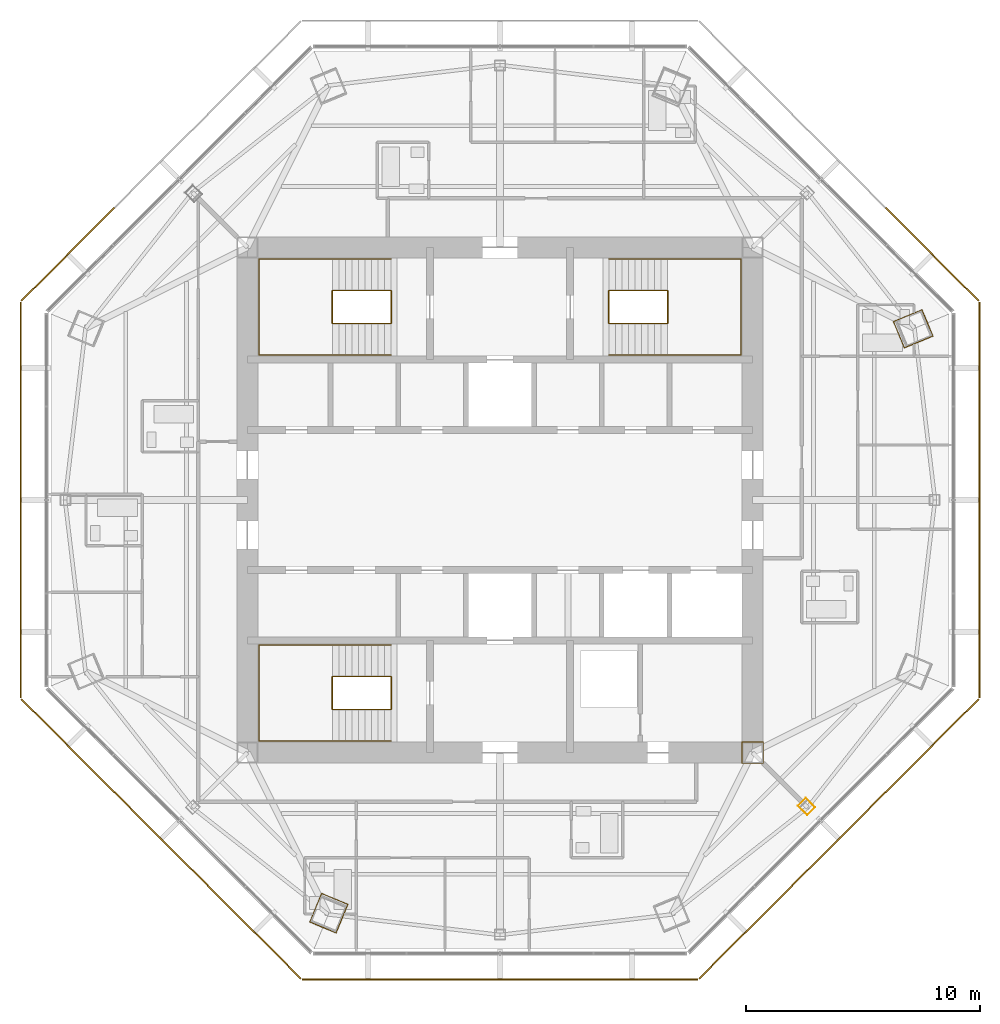
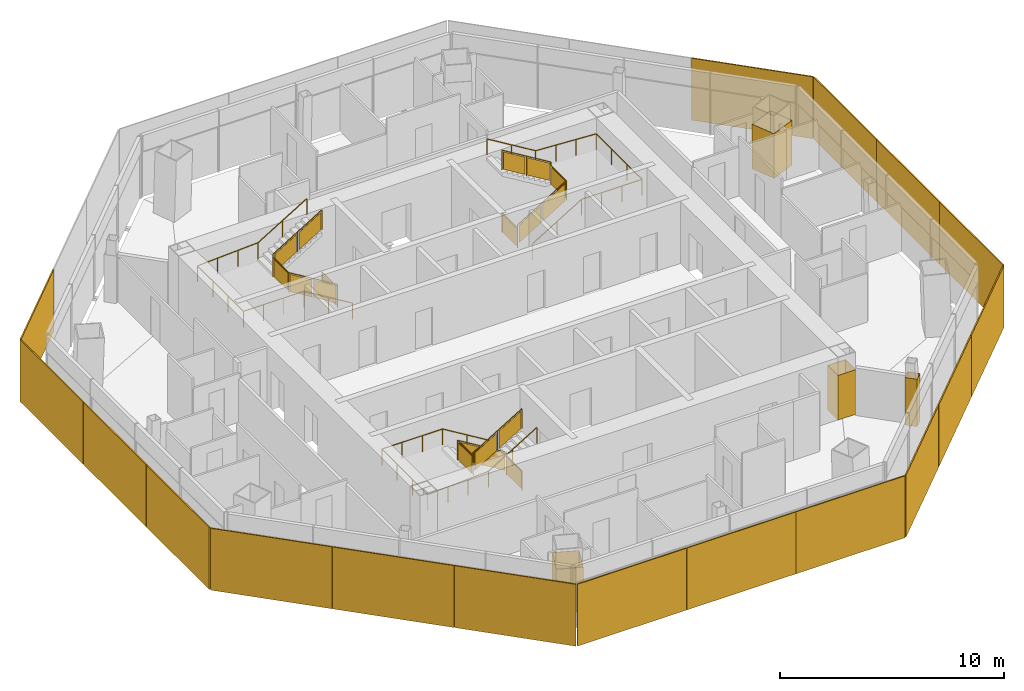
# One storey, part 13 of 15: 17 shading devices, 6 railings, 4 coverings.
"""IFC4 building model written with IfcOpenShell, lengths in metres."""

from ifc_helpers import new_model, si_unit, direction, frame, origin, origin_2d, place, context, subcontext, project, spatial, polyline, rectangle, circle, outline, extrude, source, transform, mapped, material, layer, layer_set, type_object, type_shapes, element, save


model = new_model("IFC4")

# Units and contexts
model_context = context("Model", 3, precision=1e-05, world=origin(), true_north=direction((0.0, 1.0)))
body_context = subcontext(model_context, "Body", "Model", "MODEL_VIEW")
ifc_project = project(units=[si_unit("LENGTHUNIT", "METRE"), si_unit("AREAUNIT", "SQUARE_METRE"), si_unit("VOLUMEUNIT", "CUBIC_METRE"), si_unit("PLANEANGLEUNIT", "RADIAN"), si_unit("MASSUNIT", "GRAM", prefix="KILO")], contexts=[model_context])

# Site, building, storey
site_placement = place(None, origin())
site = spatial("IfcSite", under=ifc_project, at=site_placement, CompositionType="ELEMENT")
building_placement = place(site_placement, origin())
building = spatial("IfcBuilding", under=site, at=building_placement, Name="Mashrafa Tower", CompositionType="ELEMENT")
storey_placement = place(building_placement, frame((0.0, 0.0, 304.800048828125)))
storey = spatial("IfcBuildingStorey", under=building, at=storey_placement, Name="L75", CompositionType="ELEMENT", Elevation=304.800048828125)

# Coverings
ifc_material_1 = material(Name="Gypsum board")
ifc_layer_1 = layer(ifc_material_1, 0.014892578125)
ifc_layer_set_1 = layer_set([ifc_layer_1], Name="Column casing plasterboard 15")
covering_type = type_object("IfcCoveringType", Name="Column casing plasterboard 15", PredefinedType="CLADDING", material=ifc_layer_set_1)
covering_1_placement = place(storey_placement, origin())
element("IfcCovering", 1, at=covering_1_placement, inside=storey, type_object=covering_type, Name="Column casing L75-001", PredefinedType="CLADDING", context=body_context, shape_type="SweptSolid", body=[
    extrude(outline(polyline([(16.814208984375, 7.63037109375), (16.92431640625, 7.67578125), (18.04736328125, 8.14111328125), (18.517822265625, 7.004638671875), (18.407958984375, 6.958984375), (17.284912109375, 6.493896484375), (16.814208984375, 7.63037109375)]), holes=[polyline([(18.402099609375, 6.972900390625), (18.498291015625, 7.0126953125), (18.0390625, 8.12158203125), (16.929931640625, 7.662109375), (16.833740234375, 7.622314453125), (17.29296875, 6.513671875), (18.402099609375, 6.972900390625)])]), origin(), (0.0, 0.0, 1.0), 2.435546875),
])
covering_2_placement = place(storey_placement, origin())
element("IfcCovering", 2, at=covering_2_placement, inside=storey, type_object=covering_type, Name="Column casing L75-003", PredefinedType="CLADDING", context=body_context, shape_type="SweptSolid", body=[
    extrude(outline(polyline([(-8.14111328125, -18.04736328125), (-7.67578125, -16.92431640625), (-7.63037109375, -16.814208984375), (-6.493896484375, -17.284912109375), (-6.958984375, -18.407958984375), (-7.004638671875, -18.517822265625), (-8.14111328125, -18.04736328125)]), holes=[polyline([(-6.972900390625, -18.402099609375), (-6.513671875, -17.29296875), (-7.622314453125, -16.833740234375), (-7.662109375, -16.929931640625), (-8.12158203125, -18.0390625), (-7.0126953125, -18.498291015625), (-6.972900390625, -18.402099609375)])]), origin(), (0.0, 0.0, 1.0), 2.435546875),
])
covering_3_placement = place(storey_placement, origin())
element("IfcCovering", 3, at=covering_3_placement, inside=storey, type_object=covering_type, Name="Column casing L75-005", PredefinedType="CLADDING", context=body_context, shape_type="SweptSolid", body=[
    extrude(outline(polyline([(12.7392578125, -13.07861328125), (13.07861328125, -12.7392578125), (13.486328125, -13.146728515625), (13.146728515625, -13.486328125), (12.7392578125, -13.07861328125)]), holes=[polyline([(13.465087890625, -13.146728515625), (13.07861328125, -12.760498046875), (12.760498046875, -13.07861328125), (13.146728515625, -13.465087890625), (13.465087890625, -13.146728515625)])]), origin(), (0.0, 0.0, 1.0), 2.590576171875),
])
covering_4_placement = place(storey_placement, origin())
element("IfcCovering", 4, at=covering_4_placement, inside=storey, type_object=covering_type, Name="Column casing L75-006", PredefinedType="CLADDING", context=body_context, shape_type="SweptSolid", body=[
    extrude(outline(polyline([(10.3349609375, -10.3349609375), (11.264892578125, -10.3349609375), (11.264892578125, -11.264892578125), (10.3349609375, -11.264892578125), (10.3349609375, -10.3349609375)]), holes=[polyline([(11.25, -11.25), (11.25, -10.35009765625), (10.35009765625, -10.35009765625), (10.35009765625, -11.25), (11.25, -11.25)])]), origin(), (0.0, 0.0, 1.0), 2.435546875),
])

# Railings
ifc_material_2 = material(Name="Steel guard with glass infill", Category="steel")
railing_type_1 = type_object("IfcRailingType", Name="Stair guard 1100", PredefinedType="GUARDRAIL", material=ifc_material_2)
railing_1_placement = place(storey_placement, frame((-4.64990234375, 8.949951171875, 0.0)))
element("IfcRailing", 5, at=railing_1_placement, inside=storey, type_object=railing_type_1, Name="Stair S1 guard L75", PredefinedType="GUARDRAIL", context=body_context, shape_type="SweptSolid", body=[
    extrude(circle(Radius=0.02392578125, at=origin_2d()), frame((0.0, 0.0, 1.076171875), z_axis=(0.0, -1.0, 0.0), x_axis=(1.0, 0.0, 0.0)), (0.0, 0.0, 1.0), 1.39990234375),
    extrude(circle(Radius=0.02392578125, at=origin_2d()), frame((0.0, -1.39990234375, 1.076171875), z_axis=(0.0, 0.0, 1.0), x_axis=(1.0, 0.0, 0.0)), (0.0, 0.0, 1.0), 0.169921875),
    extrude(circle(Radius=0.02392578125, at=origin_2d()), frame((0.0, -1.39990234375, 1.24609375), z_axis=(-0.85478489116, 0.0, 0.518982456201), x_axis=(0.0, -1.0, 0.0)), (0.0, 0.0, 1.0), 2.9482421875),
    extrude(circle(Radius=0.02392578125, at=origin_2d()), frame((-2.52001953125, -1.39990234375, 2.77587890625), z_axis=(0.0, 1.0, 0.0), x_axis=(-1.0, 0.0, 0.0)), (0.0, 0.0, 1.0), 1.39990234375),
    extrude(circle(Radius=0.02392578125, at=origin_2d()), frame((-2.52001953125, 0.0, 2.77587890625), z_axis=(0.0, 0.0, 1.0), x_axis=(1.0, 0.0, 0.0)), (0.0, 0.0, 1.0), 0.169921875),
    extrude(circle(Radius=0.02392578125, at=origin_2d()), frame((-2.52001953125, 0.0, 2.94580078125), z_axis=(0.85478489116, 0.0, 0.518982456201), x_axis=(0.0, 1.0, 0.0)), (0.0, 0.0, 1.0), 2.9482421875),
    extrude(circle(Radius=0.02099609375, at=origin_2d()), origin(), (0.0, 0.0, 1.0), 1.052001953125),
    extrude(circle(Radius=0.02099609375, at=origin_2d()), frame((0.0, -1.39990234375, 0.0)), (0.0, 0.0, 1.0), 1.052001953125),
    extrude(circle(Radius=0.02099609375, at=origin_2d()), frame((0.0, -1.39990234375, 0.169921875)), (0.0, 0.0, 1.0), 1.052001953125),
    extrude(circle(Radius=0.02099609375, at=origin_2d()), frame((-1.260009765625, -1.39990234375, 0.93505859375)), (0.0, 0.0, 1.0), 1.052001953125),
    extrude(circle(Radius=0.02099609375, at=origin_2d()), frame((-2.52001953125, -1.39990234375, 1.699951171875)), (0.0, 0.0, 1.0), 1.052001953125),
    extrude(circle(Radius=0.02099609375, at=origin_2d()), frame((-2.52001953125, 0.0, 1.699951171875)), (0.0, 0.0, 1.0), 1.052001953125),
    extrude(circle(Radius=0.02099609375, at=origin_2d()), frame((-2.52001953125, 0.0, 1.869873046875)), (0.0, 0.0, 1.0), 1.052001953125),
    extrude(circle(Radius=0.02099609375, at=origin_2d()), frame((-1.260009765625, 0.0, 2.634765625)), (0.0, 0.0, 1.0), 1.052001953125),
    extrude(circle(Radius=0.02099609375, at=origin_2d()), frame((0.0, 0.0, 3.39990234375)), (0.0, 0.0, 1.0), 1.052001953125),
    extrude(outline(polyline([(0.071044921875, 0.050048828125), (1.328857421875, 0.050048828125), (1.328857421875, 1.001953125), (0.071044921875, 1.001953125), (0.071044921875, 0.050048828125)])), frame((-0.006103515625, 0.0, 0.0), z_axis=(-1.0, 0.0, 0.0), x_axis=(0.0, -1.0, 0.0)), (0.0, 0.0, 1.0), 0.011962890625),
    extrude(outline(polyline([(0.071044921875, 0.093017578125), (1.18896484375, 0.77197265625), (1.18896484375, 1.723876953125), (0.071044921875, 1.045166015625), (0.071044921875, 0.093017578125)])), frame((0.0, -1.393798828125, 0.169921875), z_axis=(0.0, 1.0, 0.0), x_axis=(-1.0, 0.0, 0.0)), (0.0, 0.0, 1.0), 0.011962890625),
    extrude(outline(polyline([(1.3310546875, 0.858154296875), (2.448974609375, 1.536865234375), (2.448974609375, 2.489013671875), (1.3310546875, 1.81005859375), (1.3310546875, 0.858154296875)])), frame((0.0, -1.393798828125, 0.169921875), z_axis=(0.0, 1.0, 0.0), x_axis=(-1.0, 0.0, 0.0)), (0.0, 0.0, 1.0), 0.011962890625),
    extrude(outline(polyline([(0.071044921875, 0.050048828125), (1.328857421875, 0.050048828125), (1.328857421875, 1.001953125), (0.071044921875, 1.001953125), (0.071044921875, 0.050048828125)])), frame((-2.513916015625, -1.39990234375, 1.699951171875), z_axis=(1.0, 0.0, 0.0), x_axis=(0.0, 1.0, 0.0)), (0.0, 0.0, 1.0), 0.011962890625),
    extrude(outline(polyline([(0.071044921875, 0.093017578125), (1.18896484375, 0.77197265625), (1.18896484375, 1.723876953125), (0.071044921875, 1.045166015625), (0.071044921875, 0.093017578125)])), frame((-2.52001953125, -0.006103515625, 1.869873046875), z_axis=(0.0, -1.0, 0.0), x_axis=(1.0, 0.0, 0.0)), (0.0, 0.0, 1.0), 0.011962890625),
    extrude(outline(polyline([(1.3310546875, 0.858154296875), (2.448974609375, 1.536865234375), (2.448974609375, 2.489013671875), (1.3310546875, 1.81005859375), (1.3310546875, 0.858154296875)])), frame((-2.52001953125, -0.006103515625, 1.869873046875), z_axis=(0.0, -1.0, 0.0), x_axis=(1.0, 0.0, 0.0)), (0.0, 0.0, 1.0), 0.011962890625),
])
railing_2_placement = place(storey_placement, frame((4.64990234375, 8.949951171875, 0.0)))
element("IfcRailing", 6, at=railing_2_placement, inside=storey, type_object=railing_type_1, Name="Stair S2 guard L75", PredefinedType="GUARDRAIL", context=body_context, shape_type="SweptSolid", body=[
    extrude(circle(Radius=0.02392578125, at=origin_2d()), frame((0.0, 0.0, 1.076171875), z_axis=(0.0, -1.0, 0.0), x_axis=(1.0, 0.0, 0.0)), (0.0, 0.0, 1.0), 1.39990234375),
    extrude(circle(Radius=0.02392578125, at=origin_2d()), frame((0.0, -1.39990234375, 1.076171875), z_axis=(0.0, 0.0, 1.0), x_axis=(1.0, 0.0, 0.0)), (0.0, 0.0, 1.0), 0.169921875),
    extrude(circle(Radius=0.02392578125, at=origin_2d()), frame((0.0, -1.39990234375, 1.24609375), z_axis=(0.85478489116, 0.0, 0.518982456201), x_axis=(0.0, 1.0, 0.0)), (0.0, 0.0, 1.0), 2.9482421875),
    extrude(circle(Radius=0.02392578125, at=origin_2d()), frame((2.52001953125, -1.39990234375, 2.77587890625), z_axis=(0.0, 1.0, 0.0), x_axis=(-1.0, 0.0, 0.0)), (0.0, 0.0, 1.0), 1.39990234375),
    extrude(circle(Radius=0.02392578125, at=origin_2d()), frame((2.52001953125, 0.0, 2.77587890625), z_axis=(0.0, 0.0, 1.0), x_axis=(1.0, 0.0, 0.0)), (0.0, 0.0, 1.0), 0.169921875),
    extrude(circle(Radius=0.02392578125, at=origin_2d()), frame((2.52001953125, 0.0, 2.94580078125), z_axis=(-0.85478489116, 0.0, 0.518982456201), x_axis=(0.0, -1.0, 0.0)), (0.0, 0.0, 1.0), 2.9482421875),
    extrude(circle(Radius=0.02099609375, at=origin_2d()), origin(), (0.0, 0.0, 1.0), 1.052001953125),
    extrude(circle(Radius=0.02099609375, at=origin_2d()), frame((0.0, -1.39990234375, 0.0)), (0.0, 0.0, 1.0), 1.052001953125),
    extrude(circle(Radius=0.02099609375, at=origin_2d()), frame((0.0, -1.39990234375, 0.169921875)), (0.0, 0.0, 1.0), 1.052001953125),
    extrude(circle(Radius=0.02099609375, at=origin_2d()), frame((1.260009765625, -1.39990234375, 0.93505859375)), (0.0, 0.0, 1.0), 1.052001953125),
    extrude(circle(Radius=0.02099609375, at=origin_2d()), frame((2.52001953125, -1.39990234375, 1.699951171875)), (0.0, 0.0, 1.0), 1.052001953125),
    extrude(circle(Radius=0.02099609375, at=origin_2d()), frame((2.52001953125, 0.0, 1.699951171875)), (0.0, 0.0, 1.0), 1.052001953125),
    extrude(circle(Radius=0.02099609375, at=origin_2d()), frame((2.52001953125, 0.0, 1.869873046875)), (0.0, 0.0, 1.0), 1.052001953125),
    extrude(circle(Radius=0.02099609375, at=origin_2d()), frame((1.260009765625, 0.0, 2.634765625)), (0.0, 0.0, 1.0), 1.052001953125),
    extrude(circle(Radius=0.02099609375, at=origin_2d()), frame((0.0, 0.0, 3.39990234375)), (0.0, 0.0, 1.0), 1.052001953125),
    extrude(outline(polyline([(0.071044921875, 0.050048828125), (1.328857421875, 0.050048828125), (1.328857421875, 1.001953125), (0.071044921875, 1.001953125), (0.071044921875, 0.050048828125)])), frame((-0.006103515625, 0.0, 0.0), z_axis=(-1.0, 0.0, 0.0), x_axis=(0.0, -1.0, 0.0)), (0.0, 0.0, 1.0), 0.011962890625),
    extrude(outline(polyline([(0.071044921875, 0.093017578125), (1.18896484375, 0.77197265625), (1.18896484375, 1.723876953125), (0.071044921875, 1.045166015625), (0.071044921875, 0.093017578125)])), frame((0.0, -1.406005859375, 0.169921875), z_axis=(0.0, -1.0, 0.0), x_axis=(1.0, 0.0, 0.0)), (0.0, 0.0, 1.0), 0.011962890625),
    extrude(outline(polyline([(1.3310546875, 0.858154296875), (2.448974609375, 1.536865234375), (2.448974609375, 2.489013671875), (1.3310546875, 1.81005859375), (1.3310546875, 0.858154296875)])), frame((0.0, -1.406005859375, 0.169921875), z_axis=(0.0, -1.0, 0.0), x_axis=(1.0, 0.0, 0.0)), (0.0, 0.0, 1.0), 0.011962890625),
    extrude(outline(polyline([(0.071044921875, 0.050048828125), (1.328857421875, 0.050048828125), (1.328857421875, 1.001953125), (0.071044921875, 1.001953125), (0.071044921875, 0.050048828125)])), frame((2.526123046875, -1.39990234375, 1.699951171875), z_axis=(1.0, 0.0, 0.0), x_axis=(0.0, 1.0, 0.0)), (0.0, 0.0, 1.0), 0.011962890625),
    extrude(outline(polyline([(0.071044921875, 0.093017578125), (1.18896484375, 0.77197265625), (1.18896484375, 1.723876953125), (0.071044921875, 1.045166015625), (0.071044921875, 0.093017578125)])), frame((2.52001953125, 0.006103515625, 1.869873046875), z_axis=(0.0, 1.0, 0.0), x_axis=(-1.0, 0.0, 0.0)), (0.0, 0.0, 1.0), 0.011962890625),
    extrude(outline(polyline([(1.3310546875, 0.858154296875), (2.448974609375, 1.536865234375), (2.448974609375, 2.489013671875), (1.3310546875, 1.81005859375), (1.3310546875, 0.858154296875)])), frame((2.52001953125, 0.006103515625, 1.869873046875), z_axis=(0.0, 1.0, 0.0), x_axis=(-1.0, 0.0, 0.0)), (0.0, 0.0, 1.0), 0.011962890625),
])
railing_3_placement = place(storey_placement, frame((-4.64990234375, -8.949951171875, 0.0)))
element("IfcRailing", 7, at=railing_3_placement, inside=storey, type_object=railing_type_1, Name="Stair S3 guard L75", PredefinedType="GUARDRAIL", context=body_context, shape_type="SweptSolid", body=[
    extrude(circle(Radius=0.02392578125, at=origin_2d()), frame((0.0, 0.0, 1.076171875), z_axis=(0.0, 1.0, 0.0), x_axis=(-1.0, 0.0, 0.0)), (0.0, 0.0, 1.0), 1.39990234375),
    extrude(circle(Radius=0.02392578125, at=origin_2d()), frame((0.0, 1.39990234375, 1.076171875), z_axis=(0.0, 0.0, 1.0), x_axis=(1.0, 0.0, 0.0)), (0.0, 0.0, 1.0), 0.169921875),
    extrude(circle(Radius=0.02392578125, at=origin_2d()), frame((0.0, 1.39990234375, 1.24609375), z_axis=(-0.85478489116, 0.0, 0.518982456201), x_axis=(0.0, -1.0, 0.0)), (0.0, 0.0, 1.0), 2.9482421875),
    extrude(circle(Radius=0.02392578125, at=origin_2d()), frame((-2.52001953125, 1.39990234375, 2.77587890625), z_axis=(0.0, -1.0, 0.0), x_axis=(1.0, 0.0, 0.0)), (0.0, 0.0, 1.0), 1.39990234375),
    extrude(circle(Radius=0.02392578125, at=origin_2d()), frame((-2.52001953125, 0.0, 2.77587890625), z_axis=(0.0, 0.0, 1.0), x_axis=(1.0, 0.0, 0.0)), (0.0, 0.0, 1.0), 0.169921875),
    extrude(circle(Radius=0.02392578125, at=origin_2d()), frame((-2.52001953125, 0.0, 2.94580078125), z_axis=(0.85478489116, 0.0, 0.518982456201), x_axis=(0.0, 1.0, 0.0)), (0.0, 0.0, 1.0), 2.9482421875),
    extrude(circle(Radius=0.02099609375, at=origin_2d()), origin(), (0.0, 0.0, 1.0), 1.052001953125),
    extrude(circle(Radius=0.02099609375, at=origin_2d()), frame((0.0, 1.39990234375, 0.0)), (0.0, 0.0, 1.0), 1.052001953125),
    extrude(circle(Radius=0.02099609375, at=origin_2d()), frame((0.0, 1.39990234375, 0.169921875)), (0.0, 0.0, 1.0), 1.052001953125),
    extrude(circle(Radius=0.02099609375, at=origin_2d()), frame((-1.260009765625, 1.39990234375, 0.93505859375)), (0.0, 0.0, 1.0), 1.052001953125),
    extrude(circle(Radius=0.02099609375, at=origin_2d()), frame((-2.52001953125, 1.39990234375, 1.699951171875)), (0.0, 0.0, 1.0), 1.052001953125),
    extrude(circle(Radius=0.02099609375, at=origin_2d()), frame((-2.52001953125, 0.0, 1.699951171875)), (0.0, 0.0, 1.0), 1.052001953125),
    extrude(circle(Radius=0.02099609375, at=origin_2d()), frame((-2.52001953125, 0.0, 1.869873046875)), (0.0, 0.0, 1.0), 1.052001953125),
    extrude(circle(Radius=0.02099609375, at=origin_2d()), frame((-1.260009765625, 0.0, 2.634765625)), (0.0, 0.0, 1.0), 1.052001953125),
    extrude(circle(Radius=0.02099609375, at=origin_2d()), frame((0.0, 0.0, 3.39990234375)), (0.0, 0.0, 1.0), 1.052001953125),
    extrude(outline(polyline([(0.071044921875, 0.050048828125), (1.328857421875, 0.050048828125), (1.328857421875, 1.001953125), (0.071044921875, 1.001953125), (0.071044921875, 0.050048828125)])), frame((0.006103515625, 0.0, 0.0), z_axis=(1.0, 0.0, 0.0), x_axis=(0.0, 1.0, 0.0)), (0.0, 0.0, 1.0), 0.011962890625),
    extrude(outline(polyline([(0.071044921875, 0.093017578125), (1.18896484375, 0.77197265625), (1.18896484375, 1.723876953125), (0.071044921875, 1.045166015625), (0.071044921875, 0.093017578125)])), frame((0.0, 1.406005859375, 0.169921875), z_axis=(0.0, 1.0, 0.0), x_axis=(-1.0, 0.0, 0.0)), (0.0, 0.0, 1.0), 0.011962890625),
    extrude(outline(polyline([(1.3310546875, 0.858154296875), (2.448974609375, 1.536865234375), (2.448974609375, 2.489013671875), (1.3310546875, 1.81005859375), (1.3310546875, 0.858154296875)])), frame((0.0, 1.406005859375, 0.169921875), z_axis=(0.0, 1.0, 0.0), x_axis=(-1.0, 0.0, 0.0)), (0.0, 0.0, 1.0), 0.011962890625),
    extrude(outline(polyline([(0.071044921875, 0.050048828125), (1.328857421875, 0.050048828125), (1.328857421875, 1.001953125), (0.071044921875, 1.001953125), (0.071044921875, 0.050048828125)])), frame((-2.526123046875, 1.39990234375, 1.699951171875), z_axis=(-1.0, 0.0, 0.0), x_axis=(0.0, -1.0, 0.0)), (0.0, 0.0, 1.0), 0.011962890625),
    extrude(outline(polyline([(0.071044921875, 0.093017578125), (1.18896484375, 0.77197265625), (1.18896484375, 1.723876953125), (0.071044921875, 1.045166015625), (0.071044921875, 0.093017578125)])), frame((-2.52001953125, -0.006103515625, 1.869873046875), z_axis=(0.0, -1.0, 0.0), x_axis=(1.0, 0.0, 0.0)), (0.0, 0.0, 1.0), 0.011962890625),
    extrude(outline(polyline([(1.3310546875, 0.858154296875), (2.448974609375, 1.536865234375), (2.448974609375, 2.489013671875), (1.3310546875, 1.81005859375), (1.3310546875, 0.858154296875)])), frame((-2.52001953125, -0.006103515625, 1.869873046875), z_axis=(0.0, -1.0, 0.0), x_axis=(1.0, 0.0, 0.0)), (0.0, 0.0, 1.0), 0.011962890625),
])
ifc_material_3 = material(Name="Steel", Category="steel")
railing_type_2 = type_object("IfcRailingType", Name="Stair handrail 900", PredefinedType="HANDRAIL", material=ifc_material_3)
railing_4_placement = place(storey_placement, frame((-4.64990234375, 6.199951171875, 0.169921875)))
element("IfcRailing", 8, at=railing_4_placement, inside=storey, type_object=railing_type_2, Name="Stair S1 handrail L75", PredefinedType="HANDRAIL", context=body_context, shape_type="SweptSolid", body=[
    extrude(circle(Radius=0.02392578125, at=origin_2d()), frame((0.0, 0.0, 0.8759765625), z_axis=(-0.85478489116, 0.0, 0.518982456201), x_axis=(0.0, -1.0, 0.0)), (0.0, 0.0, 1.0), 2.9482421875),
    extrude(circle(Radius=0.02392578125, at=origin_2d()), frame((-2.52001953125, 0.0, 2.40576171875), z_axis=(-1.0, 0.0, 0.0), x_axis=(0.0, -1.0, 0.0)), (0.0, 0.0, 1.0), 3.130126953125),
    extrude(circle(Radius=0.02392578125, at=origin_2d()), frame((-5.650146484375, 0.0, 2.40576171875), z_axis=(0.0, 1.0, 0.0), x_axis=(-1.0, 0.0, 0.0)), (0.0, 0.0, 1.0), 4.10009765625),
    extrude(circle(Radius=0.02392578125, at=origin_2d()), frame((-5.650146484375, 4.10009765625, 2.40576171875), z_axis=(0.998529767259, 0.0, 0.054206124172), x_axis=(0.0, 1.0, 0.0)), (0.0, 0.0, 1.0), 3.134765625),
    extrude(circle(Radius=0.02392578125, at=origin_2d()), frame((-2.52001953125, 4.10009765625, 2.57568359375), z_axis=(0.85478489116, 0.0, 0.518982456201), x_axis=(0.0, 1.0, 0.0)), (0.0, 0.0, 1.0), 2.9482421875),
    extrude(circle(Radius=0.02099609375, at=origin_2d()), origin(), (0.0, 0.0, 1.0), 0.851806640625),
    extrude(circle(Radius=0.02099609375, at=origin_2d()), frame((-1.260009765625, 0.0, 0.76513671875)), (0.0, 0.0, 1.0), 0.851806640625),
    extrude(circle(Radius=0.02099609375, at=origin_2d()), frame((-2.52001953125, 0.0, 1.530029296875)), (0.0, 0.0, 1.0), 0.851806640625),
    extrude(circle(Radius=0.02099609375, at=origin_2d()), frame((-3.5634765625, 0.0, 1.530029296875)), (0.0, 0.0, 1.0), 0.851806640625),
    extrude(circle(Radius=0.02099609375, at=origin_2d()), frame((-4.606689453125, 0.0, 1.530029296875)), (0.0, 0.0, 1.0), 0.851806640625),
    extrude(circle(Radius=0.02099609375, at=origin_2d()), frame((-5.650146484375, 0.0, 1.530029296875)), (0.0, 0.0, 1.0), 0.851806640625),
    extrude(circle(Radius=0.02099609375, at=origin_2d()), frame((-5.650146484375, 1.36669921875, 1.530029296875)), (0.0, 0.0, 1.0), 0.851806640625),
    extrude(circle(Radius=0.02099609375, at=origin_2d()), frame((-5.650146484375, 2.7333984375, 1.530029296875)), (0.0, 0.0, 1.0), 0.851806640625),
    extrude(circle(Radius=0.02099609375, at=origin_2d()), frame((-5.650146484375, 4.10009765625, 1.530029296875)), (0.0, 0.0, 1.0), 0.851806640625),
    extrude(circle(Radius=0.02099609375, at=origin_2d()), frame((-4.606689453125, 4.10009765625, 1.586669921875)), (0.0, 0.0, 1.0), 0.851806640625),
    extrude(circle(Radius=0.02099609375, at=origin_2d()), frame((-3.5634765625, 4.10009765625, 1.643310546875)), (0.0, 0.0, 1.0), 0.851806640625),
    extrude(circle(Radius=0.02099609375, at=origin_2d()), frame((-2.52001953125, 4.10009765625, 1.699951171875)), (0.0, 0.0, 1.0), 0.851806640625),
    extrude(circle(Radius=0.02099609375, at=origin_2d()), frame((-1.260009765625, 4.10009765625, 2.46484375)), (0.0, 0.0, 1.0), 0.851806640625),
    extrude(circle(Radius=0.02099609375, at=origin_2d()), frame((0.0, 4.10009765625, 3.22998046875)), (0.0, 0.0, 1.0), 0.851806640625),
])
railing_5_placement = place(storey_placement, frame((4.64990234375, 6.199951171875, 0.169921875)))
element("IfcRailing", 9, at=railing_5_placement, inside=storey, type_object=railing_type_2, Name="Stair S2 handrail L75", PredefinedType="HANDRAIL", context=body_context, shape_type="SweptSolid", body=[
    extrude(circle(Radius=0.02392578125, at=origin_2d()), frame((0.0, 0.0, 0.8759765625), z_axis=(0.85478489116, 0.0, 0.518982456201), x_axis=(0.0, 1.0, 0.0)), (0.0, 0.0, 1.0), 2.9482421875),
    extrude(circle(Radius=0.02392578125, at=origin_2d()), frame((2.52001953125, 0.0, 2.40576171875), z_axis=(1.0, 0.0, 0.0), x_axis=(0.0, 1.0, 0.0)), (0.0, 0.0, 1.0), 3.130126953125),
    extrude(circle(Radius=0.02392578125, at=origin_2d()), frame((5.650146484375, 0.0, 2.40576171875), z_axis=(0.0, 1.0, 0.0), x_axis=(-1.0, 0.0, 0.0)), (0.0, 0.0, 1.0), 4.10009765625),
    extrude(circle(Radius=0.02392578125, at=origin_2d()), frame((5.650146484375, 4.10009765625, 2.40576171875), z_axis=(-0.998529767259, 0.0, 0.054206124172), x_axis=(0.0, -1.0, 0.0)), (0.0, 0.0, 1.0), 3.134765625),
    extrude(circle(Radius=0.02392578125, at=origin_2d()), frame((2.52001953125, 4.10009765625, 2.57568359375), z_axis=(-0.85478489116, 0.0, 0.518982456201), x_axis=(0.0, -1.0, 0.0)), (0.0, 0.0, 1.0), 2.9482421875),
    extrude(circle(Radius=0.02099609375, at=origin_2d()), origin(), (0.0, 0.0, 1.0), 0.851806640625),
    extrude(circle(Radius=0.02099609375, at=origin_2d()), frame((1.260009765625, 0.0, 0.76513671875)), (0.0, 0.0, 1.0), 0.851806640625),
    extrude(circle(Radius=0.02099609375, at=origin_2d()), frame((2.52001953125, 0.0, 1.530029296875)), (0.0, 0.0, 1.0), 0.851806640625),
    extrude(circle(Radius=0.02099609375, at=origin_2d()), frame((3.5634765625, 0.0, 1.530029296875)), (0.0, 0.0, 1.0), 0.851806640625),
    extrude(circle(Radius=0.02099609375, at=origin_2d()), frame((4.606689453125, 0.0, 1.530029296875)), (0.0, 0.0, 1.0), 0.851806640625),
    extrude(circle(Radius=0.02099609375, at=origin_2d()), frame((5.650146484375, 0.0, 1.530029296875)), (0.0, 0.0, 1.0), 0.851806640625),
    extrude(circle(Radius=0.02099609375, at=origin_2d()), frame((5.650146484375, 1.36669921875, 1.530029296875)), (0.0, 0.0, 1.0), 0.851806640625),
    extrude(circle(Radius=0.02099609375, at=origin_2d()), frame((5.650146484375, 2.7333984375, 1.530029296875)), (0.0, 0.0, 1.0), 0.851806640625),
    extrude(circle(Radius=0.02099609375, at=origin_2d()), frame((5.650146484375, 4.10009765625, 1.530029296875)), (0.0, 0.0, 1.0), 0.851806640625),
    extrude(circle(Radius=0.02099609375, at=origin_2d()), frame((4.606689453125, 4.10009765625, 1.586669921875)), (0.0, 0.0, 1.0), 0.851806640625),
    extrude(circle(Radius=0.02099609375, at=origin_2d()), frame((3.5634765625, 4.10009765625, 1.643310546875)), (0.0, 0.0, 1.0), 0.851806640625),
    extrude(circle(Radius=0.02099609375, at=origin_2d()), frame((2.52001953125, 4.10009765625, 1.699951171875)), (0.0, 0.0, 1.0), 0.851806640625),
    extrude(circle(Radius=0.02099609375, at=origin_2d()), frame((1.260009765625, 4.10009765625, 2.46484375)), (0.0, 0.0, 1.0), 0.851806640625),
    extrude(circle(Radius=0.02099609375, at=origin_2d()), frame((0.0, 4.10009765625, 3.22998046875)), (0.0, 0.0, 1.0), 0.851806640625),
])
railing_6_placement = place(storey_placement, frame((-4.64990234375, -6.199951171875, 0.169921875)))
element("IfcRailing", 10, at=railing_6_placement, inside=storey, type_object=railing_type_2, Name="Stair S3 handrail L75", PredefinedType="HANDRAIL", context=body_context, shape_type="SweptSolid", body=[
    extrude(circle(Radius=0.02392578125, at=origin_2d()), frame((0.0, 0.0, 0.8759765625), z_axis=(-0.85478489116, 0.0, 0.518982456201), x_axis=(0.0, -1.0, 0.0)), (0.0, 0.0, 1.0), 2.9482421875),
    extrude(circle(Radius=0.02392578125, at=origin_2d()), frame((-2.52001953125, 0.0, 2.40576171875), z_axis=(-1.0, 0.0, 0.0), x_axis=(0.0, -1.0, 0.0)), (0.0, 0.0, 1.0), 3.130126953125),
    extrude(circle(Radius=0.02392578125, at=origin_2d()), frame((-5.650146484375, 0.0, 2.40576171875), z_axis=(0.0, -1.0, 0.0), x_axis=(1.0, 0.0, 0.0)), (0.0, 0.0, 1.0), 4.10009765625),
    extrude(circle(Radius=0.02392578125, at=origin_2d()), frame((-5.650146484375, -4.10009765625, 2.40576171875), z_axis=(0.998529767259, 0.0, 0.054206124172), x_axis=(0.0, 1.0, 0.0)), (0.0, 0.0, 1.0), 3.134765625),
    extrude(circle(Radius=0.02392578125, at=origin_2d()), frame((-2.52001953125, -4.10009765625, 2.57568359375), z_axis=(0.85478489116, 0.0, 0.518982456201), x_axis=(0.0, 1.0, 0.0)), (0.0, 0.0, 1.0), 2.9482421875),
    extrude(circle(Radius=0.02099609375, at=origin_2d()), origin(), (0.0, 0.0, 1.0), 0.851806640625),
    extrude(circle(Radius=0.02099609375, at=origin_2d()), frame((-1.260009765625, 0.0, 0.76513671875)), (0.0, 0.0, 1.0), 0.851806640625),
    extrude(circle(Radius=0.02099609375, at=origin_2d()), frame((-2.52001953125, 0.0, 1.530029296875)), (0.0, 0.0, 1.0), 0.851806640625),
    extrude(circle(Radius=0.02099609375, at=origin_2d()), frame((-3.5634765625, 0.0, 1.530029296875)), (0.0, 0.0, 1.0), 0.851806640625),
    extrude(circle(Radius=0.02099609375, at=origin_2d()), frame((-4.606689453125, 0.0, 1.530029296875)), (0.0, 0.0, 1.0), 0.851806640625),
    extrude(circle(Radius=0.02099609375, at=origin_2d()), frame((-5.650146484375, 0.0, 1.530029296875)), (0.0, 0.0, 1.0), 0.851806640625),
    extrude(circle(Radius=0.02099609375, at=origin_2d()), frame((-5.650146484375, -1.36669921875, 1.530029296875)), (0.0, 0.0, 1.0), 0.851806640625),
    extrude(circle(Radius=0.02099609375, at=origin_2d()), frame((-5.650146484375, -2.7333984375, 1.530029296875)), (0.0, 0.0, 1.0), 0.851806640625),
    extrude(circle(Radius=0.02099609375, at=origin_2d()), frame((-5.650146484375, -4.10009765625, 1.530029296875)), (0.0, 0.0, 1.0), 0.851806640625),
    extrude(circle(Radius=0.02099609375, at=origin_2d()), frame((-4.606689453125, -4.10009765625, 1.586669921875)), (0.0, 0.0, 1.0), 0.851806640625),
    extrude(circle(Radius=0.02099609375, at=origin_2d()), frame((-3.5634765625, -4.10009765625, 1.643310546875)), (0.0, 0.0, 1.0), 0.851806640625),
    extrude(circle(Radius=0.02099609375, at=origin_2d()), frame((-2.52001953125, -4.10009765625, 1.699951171875)), (0.0, 0.0, 1.0), 0.851806640625),
    extrude(circle(Radius=0.02099609375, at=origin_2d()), frame((-1.260009765625, -4.10009765625, 2.46484375)), (0.0, 0.0, 1.0), 0.851806640625),
    extrude(circle(Radius=0.02099609375, at=origin_2d()), frame((0.0, -4.10009765625, 3.22998046875)), (0.0, 0.0, 1.0), 0.851806640625),
])

# Shading devices
ifc_material_4 = material(Name="Perforated aluminium plate, eight-point star pattern", Category="aluminium")
ifc_layer_2 = layer(ifc_material_4, 0.06005859375)
ifc_layer_set_2 = layer_set([ifc_layer_2], Name="Mashrabiya screen panel apartment zone 4, 22 percent open")
shading_device_type = type_object("IfcShadingDeviceType", Name="Mashrabiya screen panel apartment zone 4, 22 percent open", PredefinedType="SHUTTER", material=ifc_layer_set_2)
shared_shape = source(origin(), body_context, "Body", "SweptSolid", [
    extrude(rectangle(XDim=5.623779296875, YDim=0.06005859375, at=origin_2d()), origin(), (0.0, 0.0, 1.0), 3.3798828125),
])
type_shapes(shading_device_type, [shared_shape])
for number, where, z_axis, x_axis, name in (
    (11, (20.492431640625, -5.643798828125, -0.14990234375), (0.0, 0.0, 1.0), (0.0, 1.0, 0.0), "Mashrabiya screen L75 east 1"),
    (12, (20.492431640625, 0.0, -0.14990234375), (0.0, 0.0, 1.0), (0.0, 1.0, 0.0), "Mashrabiya screen L75 east 2"),
    (13, (20.492431640625, 5.643798828125, -0.14990234375), (0.0, 0.0, 1.0), (0.0, 1.0, 0.0), "Mashrabiya screen L75 east 3"),
    (14, (18.481201171875, 10.49951171875, -0.14990234375), (0.0, 0.0, 1.0), (-0.707106781187, 0.707106781187, 0.0), "Mashrabiya screen L75 north-east 1"),
    (15, (-18.481201171875, 10.49951171875, -0.14990234375), (0.0, 0.0, 1.0), (-0.707106781187, -0.707106781187, 0.0), "Mashrabiya screen L75 north-west 3"),
    (16, (-20.492431640625, 5.643798828125, -0.14990234375), (0.0, 0.0, 1.0), (0.0, -1.0, 0.0), "Mashrabiya screen L75 west 1"),
    (17, (-20.492431640625, 0.0, -0.14990234375), (0.0, 0.0, 1.0), (0.0, -1.0, 0.0), "Mashrabiya screen L75 west 2"),
    (18, (-20.492431640625, -5.643798828125, -0.14990234375), (0.0, 0.0, 1.0), (0.0, -1.0, 0.0), "Mashrabiya screen L75 west 3"),
    (19, (-18.481201171875, -10.49951171875, -0.14990234375), (0.0, 0.0, 1.0), (0.707106781187, -0.707106781187, 0.0), "Mashrabiya screen L75 south-west 1"),
    (20, (-14.490234375, -14.490234375, -0.14990234375), (0.0, 0.0, 1.0), (0.707106781187, -0.707106781187, 0.0), "Mashrabiya screen L75 south-west 2"),
    (21, (-10.49951171875, -18.481201171875, -0.14990234375), (0.0, 0.0, 1.0), (0.707106781187, -0.707106781187, 0.0), "Mashrabiya screen L75 south-west 3"),
    (22, (-5.643798828125, -20.492431640625, -0.14990234375), (0.0, 0.0, 1.0), (1.0, 0.0, 0.0), "Mashrabiya screen L75 south 1"),
    (23, (0.0, -20.492431640625, -0.14990234375), (0.0, 0.0, 1.0), (1.0, 0.0, 0.0), "Mashrabiya screen L75 south 2"),
    (24, (5.643798828125, -20.492431640625, -0.14990234375), (0.0, 0.0, 1.0), (1.0, 0.0, 0.0), "Mashrabiya screen L75 south 3"),
    (25, (10.49951171875, -18.481201171875, -0.14990234375), (0.0, 0.0, 1.0), (0.707106781187, 0.707106781187, 0.0), "Mashrabiya screen L75 south-east 1"),
    (26, (14.490234375, -14.490234375, -0.14990234375), (0.0, 0.0, 1.0), (0.707106781187, 0.707106781187, 0.0), "Mashrabiya screen L75 south-east 2"),
    (27, (18.481201171875, -10.49951171875, -0.14990234375), (0.0, 0.0, 1.0), (0.707106781187, 0.707106781187, 0.0), "Mashrabiya screen L75 south-east 3"),
):
    element("IfcShadingDevice", number, at=place(storey_placement, frame(where, z_axis=z_axis, x_axis=x_axis)), inside=storey, type_object=shading_device_type, Name=name, PredefinedType="SHUTTER", context=body_context, shape_type="MappedRepresentation", body=[
        mapped(shared_shape, transform((0.0, 0.0, 0.0))),
    ])

save(model, "model.ifc")
